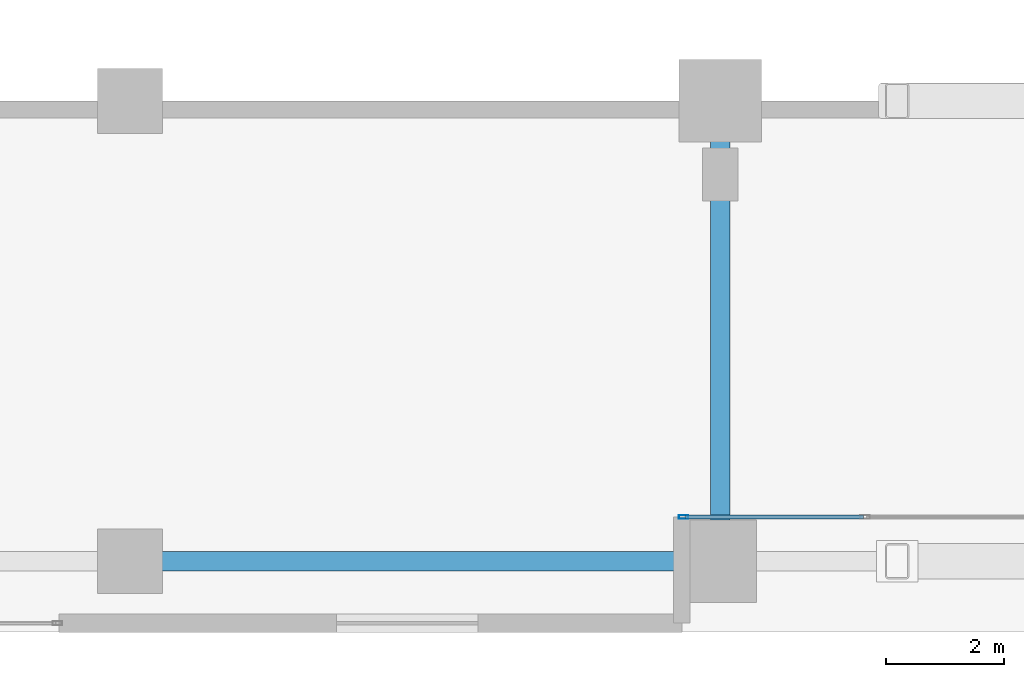
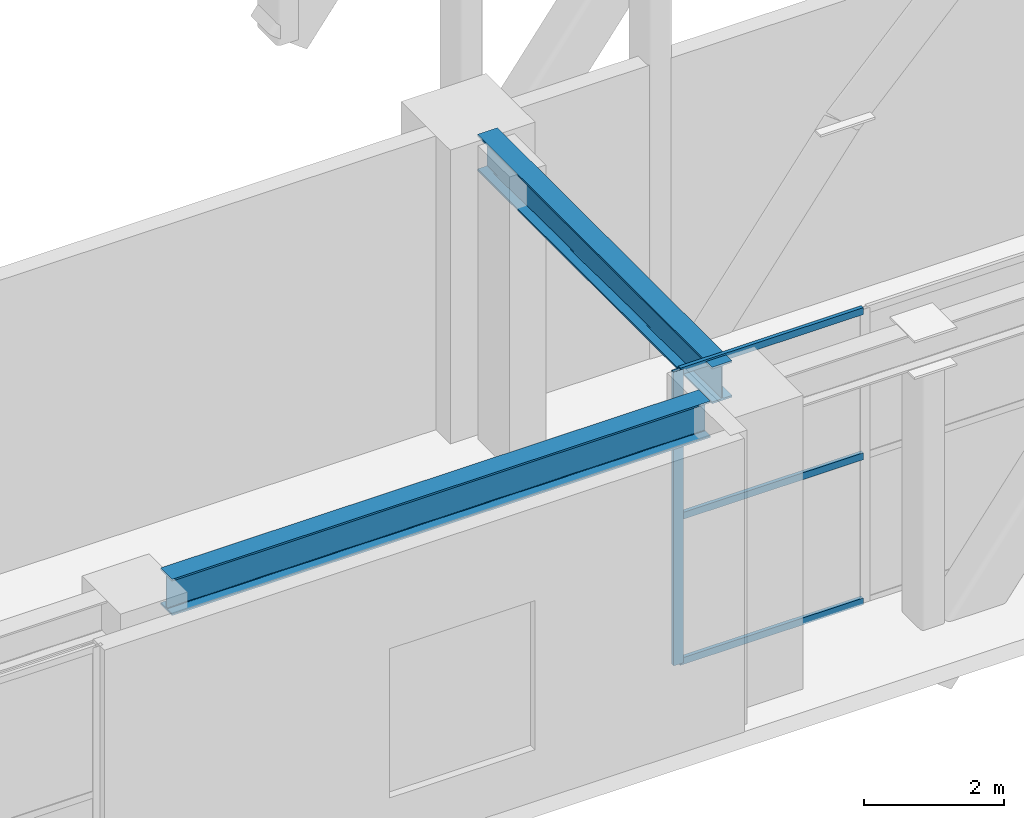
# One storey, part 3 of 28: 4 members, 2 beams, 1 element without a shape of its own.
"""IFC4 building model written with IfcOpenShell, lengths in metres."""

from ifc_helpers import new_model, si_unit, direction, frame, origin, origin_2d, place, context, subcontext, project, spatial, hollow_rectangle, i_section, extrude, material, layer, layer_set, material_profile, profile_set, type_object, element, aggregate, save


model = new_model("IFC4")

# Units and contexts
model_context = context("Model", 3, precision=1e-05, world=origin(), true_north=direction((0.0, 1.0)))
body_context = subcontext(model_context, "Body", "Model", "MODEL_VIEW")
ifc_project = project(units=[si_unit("LENGTHUNIT", "METRE"), si_unit("AREAUNIT", "SQUARE_METRE"), si_unit("VOLUMEUNIT", "CUBIC_METRE"), si_unit("PLANEANGLEUNIT", "RADIAN"), si_unit("MASSUNIT", "GRAM", prefix="KILO")], contexts=[model_context])

# Site, building, storey
site_placement = place(None, origin())
site = spatial("IfcSite", under=ifc_project, at=site_placement, CompositionType="ELEMENT")
building_placement = place(site_placement, origin())
building = spatial("IfcBuilding", under=site, at=building_placement, Name="Sarneth Arch Tower", CompositionType="ELEMENT")
storey_placement = place(building_placement, frame((0.0, 0.0, 6.0)))
storey = spatial("IfcBuildingStorey", under=building, at=storey_placement, Name="L01", CompositionType="ELEMENT", Elevation=6.0)

# Beams
ifc_material_1 = material(Name="Steel S355", Category="steel")
ifc_material_profile_1 = material_profile(ifc_material_1, i_section(OverallWidth=0.3291015625, OverallDepth=0.635009765625, WebThickness=0.017822265625, FlangeThickness=0.031005859375, FilletRadius=0.01904296875, at=origin_2d()), Name="W610x241")
ifc_profile_set_1 = profile_set([ifc_material_profile_1], Name="Steel S355")
beam_type = type_object("IfcBeamType", Name="BM-POD-610", PredefinedType="BEAM", material=ifc_profile_set_1)
beam_1_placement = place(storey_placement, frame((20.52001953125, 9.199951171875, 4.802490234375), z_axis=(1.0, 0.0, 0.0), x_axis=(0.0, 1.0, 0.0)))
element("IfcBeam", 1, at=beam_1_placement, inside=storey, type_object=beam_type, Name="L01 Podium PS girder 2", PredefinedType="BEAM", context=body_context, shape_type="SweptSolid", body=[
    extrude(i_section(OverallWidth=0.3291015625, OverallDepth=0.635009765625, WebThickness=0.017822265625, FlangeThickness=0.031005859375, FilletRadius=0.01904296875, at=origin_2d()), origin(), (0.0, 0.0, 1.0), 8.87548828125),
])
beam_2_placement = place(storey_placement, frame((30.0, 9.75, 4.802490234375), z_axis=(0.0, 1.0, 0.0), x_axis=(-1.0, 0.0, 0.0)))
element("IfcBeam", 2, at=beam_2_placement, inside=storey, type_object=beam_type, Name="L01 Podium N-S girder W30.1", PredefinedType="BEAM", context=body_context, shape_type="SweptSolid", body=[
    extrude(i_section(OverallWidth=0.3291015625, OverallDepth=0.635009765625, WebThickness=0.017822265625, FlangeThickness=0.031005859375, FilletRadius=0.01904296875, at=origin_2d()), origin(), (0.0, 0.0, 1.0), 6.699951171875),
])

# Curtain wall, members
ifc_material_2 = material(Name="Anodised aluminium Type AA25 and solar-control low-e laminated IGU", Category="aluminium")
ifc_layer = layer(ifc_material_2, 0.199951171875)
ifc_layer_set = layer_set([ifc_layer], Name="Anodised aluminium Type AA25 and solar-control low-e laminated IGU")
curtain_wall_type = type_object("IfcCurtainWallType", Name="CW-ARCH-GLAZE", PredefinedType="NOTDEFINED", material=ifc_layer_set)
curtain_wall_placement = place(storey_placement, origin())
curtain_wall = element("IfcCurtainWall", 3, at=curtain_wall_placement, inside=storey, type_object=curtain_wall_type, Name="L01 South parabolic arch portal curtain wall", PredefinedType="NOTDEFINED")
ifc_material_3 = material(Name="Anodised Aluminium 6063-T6", Category="aluminium")
ifc_material_profile_2 = material_profile(ifc_material_3, hollow_rectangle(XDim=0.06005859375, YDim=0.159912109375, WallThickness=0.00390625, at=origin_2d()), Name="AL-MULL-160x60x4")
ifc_profile_set_2 = profile_set([ifc_material_profile_2], Name="Anodised Aluminium 6063-T6")
member_type_1 = type_object("IfcMemberType", Name="CW-MULLION", PredefinedType="MULLION", material=ifc_profile_set_2)
member_1_placement = place(storey_placement, frame((29.3798828125, 9.949951171875, 0.0), z_axis=(0.0, 0.0, 1.0), x_axis=(0.0, 1.0, 0.0)))
member_1 = element("IfcMember", 4, at=member_1_placement, type_object=member_type_1, Name="CW-SYS-2 mullion 1", PredefinedType="MULLION", context=body_context, shape_type="SweptSolid", body=[
    extrude(hollow_rectangle(XDim=0.06005859375, YDim=0.159912109375, WallThickness=0.00390625, at=origin_2d()), origin(), (0.0, 0.0, 1.0), 5.1201171875),
])
ifc_material_4 = material(Name="Anodised Aluminium 6063-T6", Category="aluminium")
ifc_material_profile_3 = material_profile(ifc_material_4, hollow_rectangle(XDim=0.06005859375, YDim=0.1201171875, WallThickness=0.00390625, at=origin_2d()), Name="AL-TRAN-120x60x4")
ifc_profile_set_3 = profile_set([ifc_material_profile_3], Name="Anodised Aluminium 6063-T6")
member_type_2 = type_object("IfcMemberType", Name="CW-TRANSOM", PredefinedType="USERDEFINED", material=ifc_profile_set_3)
member_2_placement = place(storey_placement, frame((29.409912109375, 9.949951171875, 0.030029296875), z_axis=(1.0, 0.0, 0.0), x_axis=(0.0, 1.0, 0.0)))
member_2 = element("IfcMember", 5, at=member_2_placement, type_object=member_type_2, Name="CW-SYS-2 transom 1.1", ObjectType="TRANSOM", PredefinedType="USERDEFINED", context=body_context, shape_type="SweptSolid", body=[
    extrude(hollow_rectangle(XDim=0.06005859375, YDim=0.1201171875, WallThickness=0.00390625, at=origin_2d()), origin(), (0.0, 0.0, 1.0), 3.018310546875),
])
member_3_placement = place(storey_placement, frame((29.409912109375, 9.949951171875, 2.56005859375), z_axis=(1.0, 0.0, 0.0), x_axis=(0.0, 1.0, 0.0)))
member_3 = element("IfcMember", 6, at=member_3_placement, type_object=member_type_2, Name="CW-SYS-2 transom 1.2", ObjectType="TRANSOM", PredefinedType="USERDEFINED", context=body_context, shape_type="SweptSolid", body=[
    extrude(hollow_rectangle(XDim=0.06005859375, YDim=0.1201171875, WallThickness=0.00390625, at=origin_2d()), origin(), (0.0, 0.0, 1.0), 3.018310546875),
])
member_4_placement = place(storey_placement, frame((29.409912109375, 9.949951171875, 5.090087890625), z_axis=(1.0, 0.0, 0.0), x_axis=(0.0, 1.0, 0.0)))
member_4 = element("IfcMember", 7, at=member_4_placement, type_object=member_type_2, Name="CW-SYS-2 transom 1.3", ObjectType="TRANSOM", PredefinedType="USERDEFINED", context=body_context, shape_type="SweptSolid", body=[
    extrude(hollow_rectangle(XDim=0.06005859375, YDim=0.1201171875, WallThickness=0.00390625, at=origin_2d()), origin(), (0.0, 0.0, 1.0), 3.018310546875),
])
aggregate(curtain_wall, [member_1, member_2, member_3, member_4])

save(model, "model.ifc")
